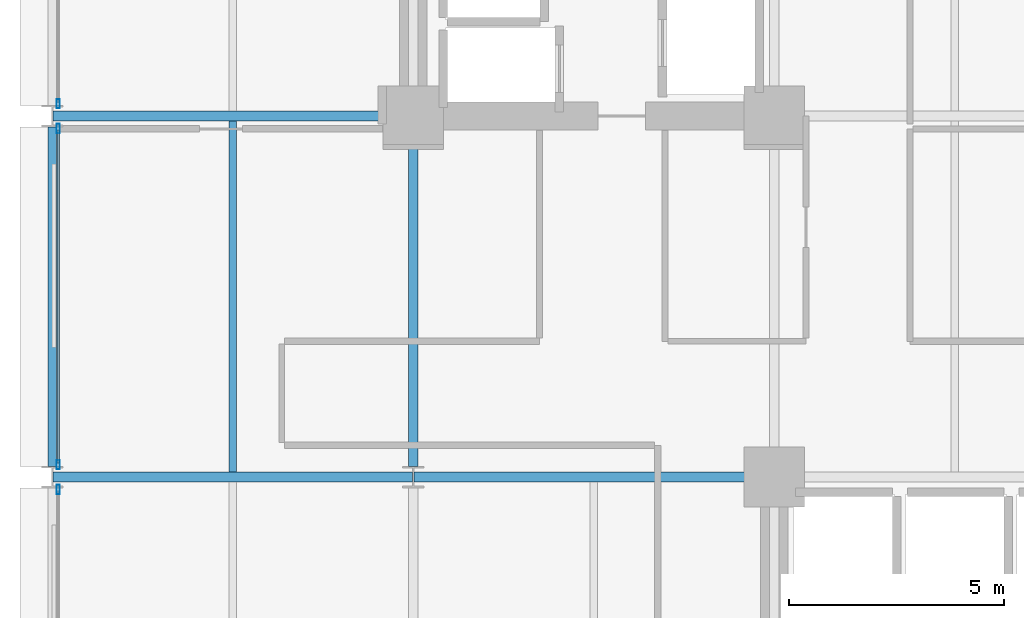
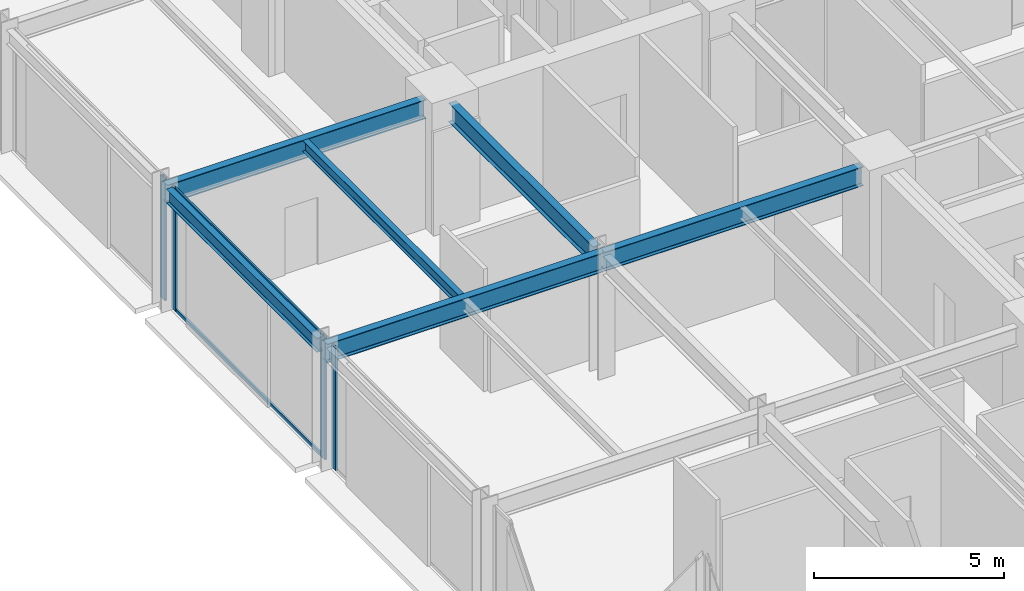
# One storey, part 6 of 25: 6 beams, 6 members, 3 elements without a shape of their own.
"""IFC4 building model written with IfcOpenShell, lengths in metres."""

from ifc_helpers import new_model, si_unit, direction, frame, origin, origin_2d, place, context, subcontext, project, spatial, hollow_rectangle, i_section, extrude, material, layer, layer_set, material_profile, profile_set, type_object, element, aggregate, save


model = new_model("IFC4")

# Units and contexts
model_context = context("Model", 3, precision=1e-05, world=origin(), true_north=direction((0.0, 1.0)))
body_context = subcontext(model_context, "Body", "Model", "MODEL_VIEW")
ifc_project = project(units=[si_unit("LENGTHUNIT", "METRE"), si_unit("AREAUNIT", "SQUARE_METRE"), si_unit("VOLUMEUNIT", "CUBIC_METRE"), si_unit("PLANEANGLEUNIT", "RADIAN"), si_unit("MASSUNIT", "GRAM", prefix="KILO")], contexts=[model_context])

# Site, building, storey
site_placement = place(None, origin())
site = spatial("IfcSite", under=ifc_project, at=site_placement, CompositionType="ELEMENT")
building_placement = place(site_placement, origin())
building = spatial("IfcBuilding", under=site, at=building_placement, Name="Nerrivon Quay Data Exchange", CompositionType="ELEMENT")
storey_placement = place(building_placement, frame((0.0, 0.0, 41.60009765625)))
storey = spatial("IfcBuildingStorey", under=building, at=storey_placement, Name="L09", CompositionType="ELEMENT", Elevation=41.60009765625)

# Beams
ifc_material_1 = material(Name="Steel Grade 350", Category="steel")
ifc_material_profile_1 = material_profile(ifc_material_1, i_section(OverallWidth=0.22900390625, OverallDepth=0.612060546875, WebThickness=0.011962890625, FlangeThickness=0.01953125, FilletRadius=0.013916015625, at=origin_2d()), Name="610UB125")
ifc_profile_set_1 = profile_set([ifc_material_profile_1], Name="Steel Grade 350")
beam_type_1 = type_object("IfcBeamType", Name="BM-G1-610UB125", PredefinedType="BEAM", material=ifc_profile_set_1)
beam_1_placement = place(storey_placement, frame((0.013916015625, 16.800048828125, 3.618896484375), z_axis=(1.0, 0.0, 0.0), x_axis=(0.0, 1.0, 0.0)))
element("IfcBeam", 1, at=beam_1_placement, inside=storey, type_object=beam_type_1, Name="L09 EW Girder Y=16.8 (0.0..8.4)", PredefinedType="BEAM", context=body_context, shape_type="SweptSolid", body=[
    extrude(i_section(OverallWidth=0.22900390625, OverallDepth=0.612060546875, WebThickness=0.011962890625, FlangeThickness=0.01953125, FilletRadius=0.013916015625, at=origin_2d()), origin(), (0.0, 0.0, 1.0), 8.3720703125),
])
beam_2_placement = place(storey_placement, frame((8.4140625, 16.800048828125, 3.618896484375), z_axis=(1.0, 0.0, 0.0), x_axis=(0.0, 1.0, 0.0)))
element("IfcBeam", 2, at=beam_2_placement, inside=storey, type_object=beam_type_1, Name="L09 EW Girder Y=16.8 (8.4..16.8)", PredefinedType="BEAM", context=body_context, shape_type="SweptSolid", body=[
    extrude(i_section(OverallWidth=0.22900390625, OverallDepth=0.612060546875, WebThickness=0.011962890625, FlangeThickness=0.01953125, FilletRadius=0.013916015625, at=origin_2d()), origin(), (0.0, 0.0, 1.0), 7.845947265625),
])
beam_3_placement = place(storey_placement, frame((0.013916015625, 25.199951171875, 3.618896484375), z_axis=(1.0, 0.0, 0.0), x_axis=(0.0, 1.0, 0.0)))
element("IfcBeam", 3, at=beam_3_placement, inside=storey, type_object=beam_type_1, Name="L09 EW Girder Y=25.2 (0.0..8.4)", PredefinedType="BEAM", context=body_context, shape_type="SweptSolid", body=[
    extrude(i_section(OverallWidth=0.22900390625, OverallDepth=0.612060546875, WebThickness=0.011962890625, FlangeThickness=0.01953125, FilletRadius=0.013916015625, at=origin_2d()), origin(), (0.0, 0.0, 1.0), 7.84619140625),
])
ifc_material_profile_2 = material_profile(ifc_material_1, i_section(OverallWidth=0.22802734375, OverallDepth=0.60205078125, WebThickness=0.010498046875, FlangeThickness=0.014892578125, FilletRadius=0.013916015625, at=origin_2d()), Name="610UB101")
ifc_profile_set_2 = profile_set([ifc_material_profile_2], Name="Steel Grade 350")
beam_type_2 = type_object("IfcBeamType", Name="BM-G2-610UB101", PredefinedType="BEAM", material=ifc_profile_set_2)
beam_4_placement = place(storey_placement, frame((8.39990234375, 17.050048828125, 3.6240234375), z_axis=(0.0, 1.0, 0.0), x_axis=(-1.0, 0.0, 0.0)))
element("IfcBeam", 4, at=beam_4_placement, inside=storey, type_object=beam_type_2, Name="L09 NS Girder X=8.4 (16.8..25.2)", PredefinedType="BEAM", context=body_context, shape_type="SweptSolid", body=[
    extrude(i_section(OverallWidth=0.22802734375, OverallDepth=0.60205078125, WebThickness=0.010498046875, FlangeThickness=0.014892578125, FilletRadius=0.013916015625, at=origin_2d()), origin(), (0.0, 0.0, 1.0), 7.60986328125),
])
ifc_material_profile_3 = material_profile(ifc_material_1, i_section(OverallWidth=0.172119140625, OverallDepth=0.35888671875, WebThickness=0.008056640625, FlangeThickness=0.012939453125, FilletRadius=0.011474609375, at=origin_2d()), Name="360UB56.7")
ifc_profile_set_3 = profile_set([ifc_material_profile_3], Name="Steel Grade 350")
beam_type_3 = type_object("IfcBeamType", Name="BM-J3-360UB57", PredefinedType="JOIST", material=ifc_profile_set_3)
beam_5_placement = place(storey_placement, frame((4.199951171875, 16.91455078125, 3.745361328125), z_axis=(0.0, 1.0, 0.0), x_axis=(-1.0, 0.0, 0.0)))
element("IfcBeam", 5, at=beam_5_placement, inside=storey, type_object=beam_type_3, Name="L09 Secondary Joist X=4.2 (16.8..25.2)", PredefinedType="JOIST", context=body_context, shape_type="SweptSolid", body=[
    extrude(i_section(OverallWidth=0.172119140625, OverallDepth=0.35888671875, WebThickness=0.008056640625, FlangeThickness=0.012939453125, FilletRadius=0.011474609375, at=origin_2d()), origin(), (0.0, 0.0, 1.0), 8.1708984375),
])
ifc_material_profile_4 = material_profile(ifc_material_1, i_section(OverallWidth=0.18994140625, OverallDepth=0.4541015625, WebThickness=0.008544921875, FlangeThickness=0.0126953125, FilletRadius=0.011474609375, at=origin_2d()), Name="460UB67.1")
ifc_profile_set_4 = profile_set([ifc_material_profile_4], Name="Steel Grade 350")
beam_type_4 = type_object("IfcBeamType", Name="BM-SP1-460UB67", PredefinedType="SPANDREL", material=ifc_profile_set_4)
beam_6_placement = place(storey_placement, frame((0.0, 17.050048828125, 3.697998046875), z_axis=(0.0, 1.0, 0.0), x_axis=(-1.0, 0.0, 0.0)))
element("IfcBeam", 6, at=beam_6_placement, inside=storey, type_object=beam_type_4, Name="L09 NS Girder X=0.0 (16.8..25.2)", PredefinedType="SPANDREL", context=body_context, shape_type="SweptSolid", body=[
    extrude(i_section(OverallWidth=0.18994140625, OverallDepth=0.4541015625, WebThickness=0.008544921875, FlangeThickness=0.0126953125, FilletRadius=0.011474609375, at=origin_2d()), origin(), (0.0, 0.0, 1.0), 7.89990234375),
])

# Curtain wall, member
ifc_material_2 = material(Name="Anodised aluminium 6063-T6", Category="aluminium")
ifc_layer = layer(ifc_material_2, 0.219970703125)
ifc_layer_set = layer_set([ifc_layer], Name="Anodised aluminium 6063-T6")
curtain_wall_type = type_object("IfcCurtainWallType", Name="CW-SYS-01", PredefinedType="NOTDEFINED", material=ifc_layer_set)
curtain_wall_1_placement = place(storey_placement, origin())
curtain_wall_1 = element("IfcCurtainWall", 7, at=curtain_wall_1_placement, inside=storey, type_object=curtain_wall_type, Name="L09 Unitised Curtain Wall 14", PredefinedType="NOTDEFINED")
ifc_material_profile_5 = material_profile(ifc_material_2, hollow_rectangle(XDim=0.074951171875, YDim=0.219970703125, WallThickness=0.00390625, at=origin_2d()), Name="ALU-MULL-220x75")
ifc_profile_set_5 = profile_set([ifc_material_profile_5], Name="Anodised aluminium 6063-T6")
member_type_1 = type_object("IfcMemberType", Name="CWM-220x75", PredefinedType="MULLION", material=ifc_profile_set_5)
member_1_placement = place(storey_placement, frame((0.139892578125, 16.512451171875, 0.0), z_axis=(0.0, 0.0, 1.0), x_axis=(-1.0, 0.0, 0.0)))
member_1 = element("IfcMember", 8, at=member_1_placement, type_object=member_type_1, Name="CW01 mullion 2", PredefinedType="MULLION", context=body_context, shape_type="SweptSolid", body=[
    extrude(hollow_rectangle(XDim=0.074951171875, YDim=0.219970703125, WallThickness=0.00390625, at=origin_2d()), origin(), (0.0, 0.0, 1.0), 3.9248046875),
])
aggregate(curtain_wall_1, [member_1])

# Curtain wall, members
curtain_wall_2_placement = place(storey_placement, origin())
curtain_wall_2 = element("IfcCurtainWall", 9, at=curtain_wall_2_placement, inside=storey, type_object=curtain_wall_type, Name="L09 Unitised Curtain Wall 15", PredefinedType="NOTDEFINED")
member_2_placement = place(storey_placement, frame((0.139892578125, 17.08740234375, 0.0), z_axis=(0.0, 0.0, 1.0), x_axis=(-1.0, 0.0, 0.0)))
member_2 = element("IfcMember", 10, at=member_2_placement, type_object=member_type_1, Name="CW01 mullion 1", PredefinedType="MULLION", context=body_context, shape_type="SweptSolid", body=[
    extrude(hollow_rectangle(XDim=0.074951171875, YDim=0.219970703125, WallThickness=0.00390625, at=origin_2d()), origin(), (0.0, 0.0, 1.0), 3.9248046875),
])
member_3_placement = place(storey_placement, frame((0.139892578125, 24.91259765625, 0.0), z_axis=(0.0, 0.0, 1.0), x_axis=(-1.0, 0.0, 0.0)))
member_3 = element("IfcMember", 11, at=member_3_placement, type_object=member_type_1, Name="CW01 mullion 2", PredefinedType="MULLION", context=body_context, shape_type="SweptSolid", body=[
    extrude(hollow_rectangle(XDim=0.074951171875, YDim=0.219970703125, WallThickness=0.00390625, at=origin_2d()), origin(), (0.0, 0.0, 1.0), 3.9248046875),
])

# Curtain wall, member
curtain_wall_3_placement = place(storey_placement, origin())
curtain_wall_3 = element("IfcCurtainWall", 12, at=curtain_wall_3_placement, inside=storey, type_object=curtain_wall_type, Name="L09 Unitised Curtain Wall 16", PredefinedType="NOTDEFINED")
member_4_placement = place(storey_placement, frame((0.139892578125, 25.487548828125, 0.0), z_axis=(0.0, 0.0, 1.0), x_axis=(-1.0, 0.0, 0.0)))
member_4 = element("IfcMember", 13, at=member_4_placement, type_object=member_type_1, Name="CW01 mullion 1", PredefinedType="MULLION", context=body_context, shape_type="SweptSolid", body=[
    extrude(hollow_rectangle(XDim=0.074951171875, YDim=0.219970703125, WallThickness=0.00390625, at=origin_2d()), origin(), (0.0, 0.0, 1.0), 3.9248046875),
])
aggregate(curtain_wall_3, [member_4])

# Member
ifc_material_profile_6 = material_profile(ifc_material_2, hollow_rectangle(XDim=0.06005859375, YDim=0.1201171875, WallThickness=0.003173828125, at=origin_2d()), Name="ALU-TRAN-120x60")
ifc_profile_set_6 = profile_set([ifc_material_profile_6], Name="Anodised aluminium 6063-T6")
member_type_2 = type_object("IfcMemberType", Name="CWT-120x60", PredefinedType="USERDEFINED", material=ifc_profile_set_6)
member_5_placement = place(storey_placement, frame((0.139892578125, 17.125, 0.032470703125), z_axis=(0.0, 1.0, 0.0), x_axis=(-1.0, 0.0, 0.0)))
member_5 = element("IfcMember", 14, at=member_5_placement, type_object=member_type_2, Name="CW01 transom 1.1", ObjectType="TRANSOM", PredefinedType="USERDEFINED", context=body_context, shape_type="SweptSolid", body=[
    extrude(hollow_rectangle(XDim=0.06005859375, YDim=0.1201171875, WallThickness=0.003173828125, at=origin_2d()), origin(), (0.0, 0.0, 1.0), 7.75),
])

member_6_placement = place(storey_placement, frame((0.139892578125, 17.125, 3.892333984375), z_axis=(0.0, 1.0, 0.0), x_axis=(-1.0, 0.0, 0.0)))
member_6 = element("IfcMember", 15, at=member_6_placement, type_object=member_type_2, Name="CW01 transom 1.2", ObjectType="TRANSOM", PredefinedType="USERDEFINED", context=body_context, shape_type="SweptSolid", body=[
    extrude(hollow_rectangle(XDim=0.06005859375, YDim=0.1201171875, WallThickness=0.003173828125, at=origin_2d()), origin(), (0.0, 0.0, 1.0), 7.75),
])

aggregate(curtain_wall_2, [member_2, member_3, member_5, member_6])

save(model, "model.ifc")
